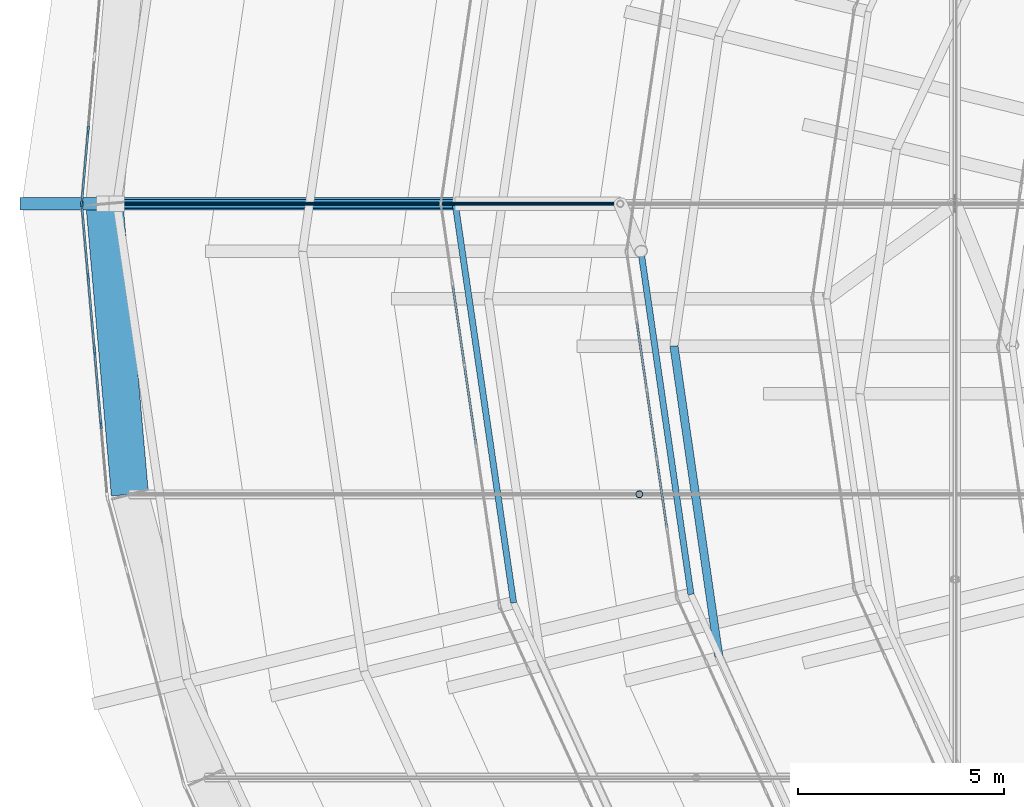
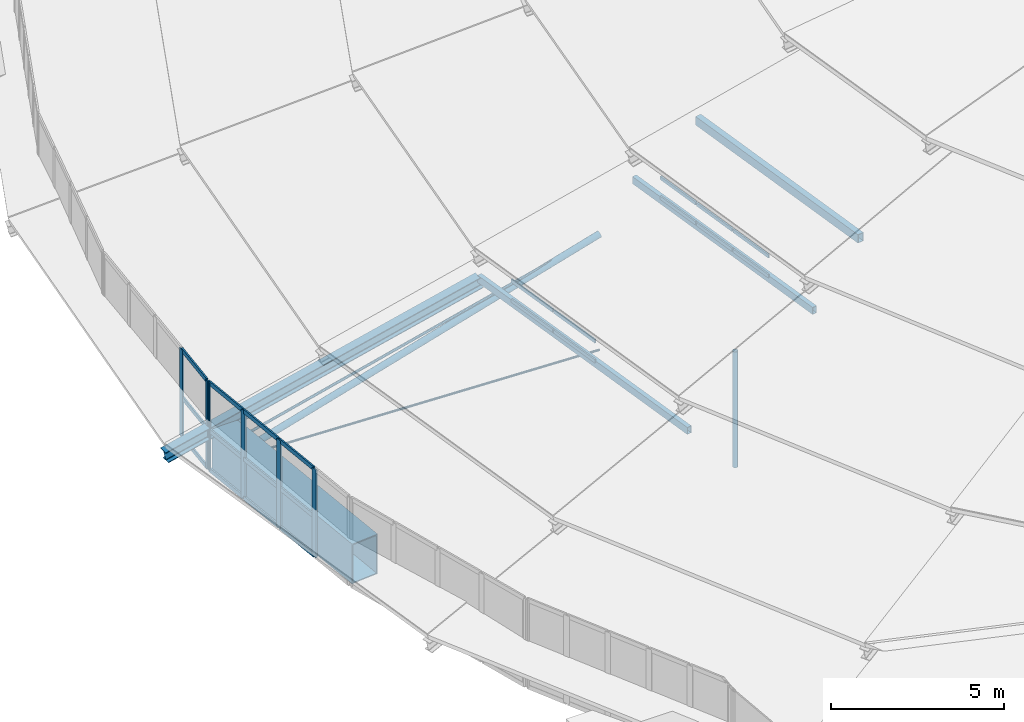
# One storey, part 32 of 173: 36 members, 1 beam, 4 elements without a shape of their own.
"""IFC4 building model written with IfcOpenShell, lengths in metres."""

from ifc_helpers import new_model, si_unit, direction, frame, origin, origin_2d, place, context, subcontext, project, spatial, rectangle, hollow_rectangle, circle, hollow_circle, i_section, extrude, material, material_profile, profile_set, type_object, element, aggregate, save


model = new_model("IFC4")

# Units and contexts
model_context = context("Model", 3, precision=1e-05, world=origin(), true_north=direction((0.0, 1.0)))
body_context = subcontext(model_context, "Body", "Model", "MODEL_VIEW")
ifc_project = project(units=[si_unit("LENGTHUNIT", "METRE"), si_unit("AREAUNIT", "SQUARE_METRE"), si_unit("VOLUMEUNIT", "CUBIC_METRE"), si_unit("PLANEANGLEUNIT", "RADIAN"), si_unit("MASSUNIT", "GRAM", prefix="KILO")], contexts=[model_context])

# Site, building, storey
site_placement = place(None, origin())
site = spatial("IfcSite", under=ifc_project, at=site_placement, CompositionType="ELEMENT")
building_placement = place(site_placement, origin())
building = spatial("IfcBuilding", under=site, at=building_placement, Name="Glasvene Arena", CompositionType="ELEMENT")
storey_placement = place(building_placement, frame((0.0, 0.0, 28.800048828125)))
storey = spatial("IfcBuildingStorey", under=building, at=storey_placement, Name="RF", CompositionType="ELEMENT", Elevation=28.800048828125)

# Beam
ifc_material_1 = material(Name="Steel S355J2", Category="steel")
ifc_material_profile_1 = material_profile(ifc_material_1, hollow_rectangle(XDim=0.89990234375, YDim=1.39990234375, WallThickness=0.034912109375, at=origin_2d()), Name="WBOX 900x1400x35")
ifc_profile_set_1 = profile_set([ifc_material_profile_1], Name="Steel S355J2")
beam_type = type_object("IfcBeamType", Name="BM-RING-BOX1400", PredefinedType="USERDEFINED", material=ifc_profile_set_1)
beam_placement = place(storey_placement, frame((42.0, 73.0, -0.699951171875), z_axis=(0.087099233317, -0.996199640411, 0.0), x_axis=(0.996199640411, 0.087099233317, 0.0)))
element("IfcBeam", 1, at=beam_placement, inside=storey, type_object=beam_type, Name="Compression ring beam chord RB-21", ObjectType="RING BEAM", PredefinedType="USERDEFINED", context=body_context, shape_type="SweptSolid", body=[
    extrude(hollow_rectangle(XDim=0.89990234375, YDim=1.39990234375, WallThickness=0.034912109375, at=origin_2d()), origin(), (0.0, 0.0, 1.0), 7.06640625),
])

# Curtain wall, members
ifc_material_2 = material(Name="Low-emissivity laminated double glazing", Category="glass")
curtain_wall_type_1 = type_object("IfcCurtainWallType", Name="CW-DRUM-715x310", PredefinedType="USERDEFINED", material=ifc_material_2)
curtain_wall_1_placement = place(storey_placement, frame((42.072509765625, 80.12548828125, 0.0)))
curtain_wall_1 = element("IfcCurtainWall", 2, at=curtain_wall_1_placement, inside=storey, type_object=curtain_wall_type_1, Name="Crown compression-ring fascia curtain wall 20", ObjectType="CURTAIN WALL", PredefinedType="USERDEFINED")
ifc_material_3 = material(Name="Anodised architectural aluminium", Category="aluminium")
ifc_material_profile_2 = material_profile(ifc_material_3, rectangle(XDim=0.050048828125, YDim=0.199951171875, at=origin_2d()), Name="ALU MULLION 50x200")
ifc_profile_set_2 = profile_set([ifc_material_profile_2], Name="Anodised architectural aluminium")
member_type_1 = type_object("IfcMemberType", Name="CW-MUL-180", PredefinedType="MULLION", material=ifc_profile_set_2)
member_1_placement = place(storey_placement, frame((41.605712890625, 74.781494140625, -1.380126953125), z_axis=(0.0, 0.0, 1.0), x_axis=(0.996206938771, -0.0870157178, 0.0)))
member_1 = element("IfcMember", 3, at=member_1_placement, type_object=member_type_1, Name="CW-071 mullion 4", PredefinedType="MULLION", context=body_context, shape_type="SweptSolid", body=[
    extrude(rectangle(XDim=0.050048828125, YDim=0.199951171875, at=origin_2d()), origin(), (0.0, 0.0, 1.0), 3.10009765625),
])
member_2_placement = place(storey_placement, frame((41.4521484375, 73.02490234375, -1.380126953125), z_axis=(0.0, 0.0, 1.0), x_axis=(0.996206938771, -0.0870157178, 0.0)))
member_2 = element("IfcMember", 4, at=member_2_placement, type_object=member_type_1, Name="CW-071 mullion 5", PredefinedType="MULLION", context=body_context, shape_type="SweptSolid", body=[
    extrude(rectangle(XDim=0.050048828125, YDim=0.199951171875, at=origin_2d()), origin(), (0.0, 0.0, 1.0), 3.10009765625),
])

curtain_wall_2_placement = place(storey_placement, frame((41.449951171875, 73.0, 0.0)))
curtain_wall_2 = element("IfcCurtainWall", 5, at=curtain_wall_2_placement, inside=storey, type_object=curtain_wall_type_1, Name="Crown compression-ring fascia curtain wall 21", ObjectType="CURTAIN WALL", PredefinedType="USERDEFINED")
member_3_placement = place(storey_placement, frame((41.4521484375, 72.97509765625, -1.380126953125), z_axis=(0.0, 0.0, 1.0), x_axis=(0.996206938771, 0.0870157178, 0.0)))
member_3 = element("IfcMember", 6, at=member_3_placement, type_object=member_type_1, Name="CW-071 mullion 1", PredefinedType="MULLION", context=body_context, shape_type="SweptSolid", body=[
    extrude(rectangle(XDim=0.050048828125, YDim=0.199951171875, at=origin_2d()), origin(), (0.0, 0.0, 1.0), 3.10009765625),
])
member_4_placement = place(storey_placement, frame((41.605712890625, 71.218505859375, -1.380126953125), z_axis=(0.0, 0.0, 1.0), x_axis=(0.996206938771, 0.0870157178, 0.0)))
member_4 = element("IfcMember", 7, at=member_4_placement, type_object=member_type_1, Name="CW-071 mullion 2", PredefinedType="MULLION", context=body_context, shape_type="SweptSolid", body=[
    extrude(rectangle(XDim=0.050048828125, YDim=0.199951171875, at=origin_2d()), origin(), (0.0, 0.0, 1.0), 3.10009765625),
])
member_5_placement = place(storey_placement, frame((41.76123046875, 69.437255859375, -1.380126953125), z_axis=(0.0, 0.0, 1.0), x_axis=(0.996206938771, 0.0870157178, 0.0)))
member_5 = element("IfcMember", 8, at=member_5_placement, type_object=member_type_1, Name="CW-071 mullion 3", PredefinedType="MULLION", context=body_context, shape_type="SweptSolid", body=[
    extrude(rectangle(XDim=0.050048828125, YDim=0.199951171875, at=origin_2d()), origin(), (0.0, 0.0, 1.0), 3.10009765625),
])
member_6_placement = place(storey_placement, frame((41.916748046875, 67.65576171875, -1.380126953125), z_axis=(0.0, 0.0, 1.0), x_axis=(0.996206938771, 0.0870157178, 0.0)))
member_6 = element("IfcMember", 9, at=member_6_placement, type_object=member_type_1, Name="CW-071 mullion 4", PredefinedType="MULLION", context=body_context, shape_type="SweptSolid", body=[
    extrude(rectangle(XDim=0.050048828125, YDim=0.199951171875, at=origin_2d()), origin(), (0.0, 0.0, 1.0), 3.10009765625),
])

curtain_wall_type_2 = type_object("IfcCurtainWallType", Name="CW-PET1-986x75", PredefinedType="USERDEFINED", material=ifc_material_2)
curtain_wall_3_placement = place(storey_placement, frame((50.14990234375, 73.0, 0.0)))
curtain_wall_3 = element("IfcCurtainWall", 10, at=curtain_wall_3_placement, inside=storey, type_object=curtain_wall_type_2, Name="Petal ring 1-2 clerestory curtain wall 13", ObjectType="CURTAIN WALL", PredefinedType="USERDEFINED")
ifc_material_profile_3 = material_profile(ifc_material_3, rectangle(XDim=0.050048828125, YDim=0.1201171875, at=origin_2d()), Name="ALU TRANSOM 50x120")
ifc_profile_set_3 = profile_set([ifc_material_profile_3], Name="Anodised architectural aluminium")
member_type_2 = type_object("IfcMemberType", Name="CW-TRN-120", PredefinedType="USERDEFINED", material=ifc_profile_set_3)
member_7_placement = place(storey_placement, frame((50.438720703125, 71.023681640625, 2.60498046875), z_axis=(0.144674822999, -0.989479254755, 0.0), x_axis=(0.989479254755, 0.144674822999, 0.0)))
member_7 = element("IfcMember", 11, at=member_7_placement, type_object=member_type_2, Name="CW-081 transom 2.1", ObjectType="TRANSOM", PredefinedType="USERDEFINED", context=body_context, shape_type="SweptSolid", body=[
    extrude(rectangle(XDim=0.050048828125, YDim=0.1201171875, at=origin_2d()), origin(), (0.0, 0.0, 1.0), 1.922119140625),
])
member_8_placement = place(storey_placement, frame((50.438720703125, 71.023681640625, 3.304931640625), z_axis=(0.144674822999, -0.989479254755, 0.0), x_axis=(0.989479254755, 0.144674822999, 0.0)))
member_8 = element("IfcMember", 12, at=member_8_placement, type_object=member_type_2, Name="CW-081 transom 2.2", ObjectType="TRANSOM", PredefinedType="USERDEFINED", context=body_context, shape_type="SweptSolid", body=[
    extrude(rectangle(XDim=0.050048828125, YDim=0.1201171875, at=origin_2d()), origin(), (0.0, 0.0, 1.0), 1.922119140625),
])
member_9_placement = place(storey_placement, frame((50.72412109375, 69.072265625, 2.60498046875), z_axis=(0.144532293107, -0.989500084007, 0.0), x_axis=(0.989500084007, 0.144532293107, 0.0)))
member_9 = element("IfcMember", 13, at=member_9_placement, type_object=member_type_2, Name="CW-081 transom 3.1", ObjectType="TRANSOM", PredefinedType="USERDEFINED", context=body_context, shape_type="SweptSolid", body=[
    extrude(rectangle(XDim=0.050048828125, YDim=0.1201171875, at=origin_2d()), origin(), (0.0, 0.0, 1.0), 1.92236328125),
])
member_10_placement = place(storey_placement, frame((50.72412109375, 69.072265625, 3.304931640625), z_axis=(0.144532293107, -0.989500084007, 0.0), x_axis=(0.989500084007, 0.144532293107, 0.0)))
member_10 = element("IfcMember", 14, at=member_10_placement, type_object=member_type_2, Name="CW-081 transom 3.2", ObjectType="TRANSOM", PredefinedType="USERDEFINED", context=body_context, shape_type="SweptSolid", body=[
    extrude(rectangle(XDim=0.050048828125, YDim=0.1201171875, at=origin_2d()), origin(), (0.0, 0.0, 1.0), 1.92236328125),
])
aggregate(curtain_wall_3, [member_7, member_8, member_9, member_10])

curtain_wall_type_3 = type_object("IfcCurtainWallType", Name="CW-PET2-849x75", PredefinedType="USERDEFINED", material=ifc_material_2)
curtain_wall_4_placement = place(storey_placement, frame((54.64990234375, 71.85009765625, 0.0)))
curtain_wall_4 = element("IfcCurtainWall", 15, at=curtain_wall_4_placement, inside=storey, type_object=curtain_wall_type_3, Name="Petal ring 2-3 clerestory curtain wall 13", ObjectType="CURTAIN WALL", PredefinedType="USERDEFINED")
member_11_placement = place(storey_placement, frame((54.898193359375, 70.1455078125, 5.204833984375), z_axis=(0.144201078273, -0.98954840661, 0.0), x_axis=(0.98954840661, 0.144201078273, 0.0)))
member_11 = element("IfcMember", 16, at=member_11_placement, type_object=member_type_2, Name="CW-087 transom 2.1", ObjectType="TRANSOM", PredefinedType="USERDEFINED", context=body_context, shape_type="SweptSolid", body=[
    extrude(rectangle(XDim=0.050048828125, YDim=0.1201171875, at=origin_2d()), origin(), (0.0, 0.0, 1.0), 1.6474609375),
])
member_12_placement = place(storey_placement, frame((54.898193359375, 70.1455078125, 5.905029296875), z_axis=(0.144201078273, -0.98954840661, 0.0), x_axis=(0.98954840661, 0.144201078273, 0.0)))
member_12 = element("IfcMember", 17, at=member_12_placement, type_object=member_type_2, Name="CW-087 transom 2.2", ObjectType="TRANSOM", PredefinedType="USERDEFINED", context=body_context, shape_type="SweptSolid", body=[
    extrude(rectangle(XDim=0.050048828125, YDim=0.1201171875, at=origin_2d()), origin(), (0.0, 0.0, 1.0), 1.6474609375),
])
member_13_placement = place(storey_placement, frame((55.142822265625, 68.4658203125, 5.204833984375), z_axis=(0.144179933735, -0.989551487649, 0.0), x_axis=(0.989551487649, 0.144179933735, 0.0)))
member_13 = element("IfcMember", 18, at=member_13_placement, type_object=member_type_2, Name="CW-087 transom 3.1", ObjectType="TRANSOM", PredefinedType="USERDEFINED", context=body_context, shape_type="SweptSolid", body=[
    extrude(rectangle(XDim=0.050048828125, YDim=0.1201171875, at=origin_2d()), origin(), (0.0, 0.0, 1.0), 1.647705078125),
])
member_14_placement = place(storey_placement, frame((55.142822265625, 68.4658203125, 5.905029296875), z_axis=(0.144179933735, -0.989551487649, 0.0), x_axis=(0.989551487649, 0.144179933735, 0.0)))
member_14 = element("IfcMember", 19, at=member_14_placement, type_object=member_type_2, Name="CW-087 transom 3.2", ObjectType="TRANSOM", PredefinedType="USERDEFINED", context=body_context, shape_type="SweptSolid", body=[
    extrude(rectangle(XDim=0.050048828125, YDim=0.1201171875, at=origin_2d()), origin(), (0.0, 0.0, 1.0), 1.647705078125),
])
member_15_placement = place(storey_placement, frame((55.3876953125, 66.7861328125, 5.204833984375), z_axis=(0.144034828632, -0.989572618933, 0.0), x_axis=(0.989572618933, 0.144034828632, 0.0)))
member_15 = element("IfcMember", 20, at=member_15_placement, type_object=member_type_2, Name="CW-087 transom 4.1", ObjectType="TRANSOM", PredefinedType="USERDEFINED", context=body_context, shape_type="SweptSolid", body=[
    extrude(rectangle(XDim=0.050048828125, YDim=0.1201171875, at=origin_2d()), origin(), (0.0, 0.0, 1.0), 1.6474609375),
])
member_16_placement = place(storey_placement, frame((55.3876953125, 66.7861328125, 5.905029296875), z_axis=(0.144034828632, -0.989572618933, 0.0), x_axis=(0.989572618933, 0.144034828632, 0.0)))
member_16 = element("IfcMember", 21, at=member_16_placement, type_object=member_type_2, Name="CW-087 transom 4.2", ObjectType="TRANSOM", PredefinedType="USERDEFINED", context=body_context, shape_type="SweptSolid", body=[
    extrude(rectangle(XDim=0.050048828125, YDim=0.1201171875, at=origin_2d()), origin(), (0.0, 0.0, 1.0), 1.6474609375),
])
aggregate(curtain_wall_4, [member_11, member_12, member_13, member_14, member_15, member_16])

# Member
ifc_material_profile_4 = material_profile(ifc_material_3, rectangle(XDim=0.050048828125, YDim=0.14990234375, at=origin_2d()), Name="ALU TRANSOM 50x150")
ifc_profile_set_4 = profile_set([ifc_material_profile_4], Name="Anodised architectural aluminium")
member_type_3 = type_object("IfcMemberType", Name="CW-TRN-150", PredefinedType="USERDEFINED", material=ifc_profile_set_4)
member_17_placement = place(storey_placement, frame((41.603515625, 74.756591796875, -1.35498046875), z_axis=(-0.087066191542, -0.996202528751, 0.0), x_axis=(0.996202528751, -0.087066191542, 0.0)))
member_17 = element("IfcMember", 22, at=member_17_placement, type_object=member_type_3, Name="CW-071 transom 4.1", ObjectType="TRANSOM", PredefinedType="USERDEFINED", context=body_context, shape_type="SweptSolid", body=[
    extrude(rectangle(XDim=0.050048828125, YDim=0.14990234375, at=origin_2d()), origin(), (0.0, 0.0, 1.0), 1.71337890625),
])

member_18_placement = place(storey_placement, frame((41.603515625, 74.756591796875, 0.02001953125), z_axis=(-0.087066191542, -0.996202528751, 0.0), x_axis=(0.996202528751, -0.087066191542, 0.0)))
member_18 = element("IfcMember", 23, at=member_18_placement, type_object=member_type_3, Name="CW-071 transom 4.2", ObjectType="TRANSOM", PredefinedType="USERDEFINED", context=body_context, shape_type="SweptSolid", body=[
    extrude(rectangle(XDim=0.050048828125, YDim=0.14990234375, at=origin_2d()), origin(), (0.0, 0.0, 1.0), 1.71337890625),
])

member_19_placement = place(storey_placement, frame((41.603515625, 74.756591796875, 1.695068359375), z_axis=(-0.087066191542, -0.996202528751, 0.0), x_axis=(0.996202528751, -0.087066191542, 0.0)))
member_19 = element("IfcMember", 24, at=member_19_placement, type_object=member_type_3, Name="CW-071 transom 4.3", ObjectType="TRANSOM", PredefinedType="USERDEFINED", context=body_context, shape_type="SweptSolid", body=[
    extrude(rectangle(XDim=0.050048828125, YDim=0.14990234375, at=origin_2d()), origin(), (0.0, 0.0, 1.0), 1.71337890625),
])

aggregate(curtain_wall_1, [member_1, member_2, member_17, member_18, member_19])

member_20_placement = place(storey_placement, frame((41.454345703125, 72.9501953125, -1.35498046875), z_axis=(0.087066191542, -0.996202528751, 0.0), x_axis=(0.996202528751, 0.087066191542, 0.0)))
member_20 = element("IfcMember", 25, at=member_20_placement, type_object=member_type_3, Name="CW-071 transom 1.1", ObjectType="TRANSOM", PredefinedType="USERDEFINED", context=body_context, shape_type="SweptSolid", body=[
    extrude(rectangle(XDim=0.050048828125, YDim=0.14990234375, at=origin_2d()), origin(), (0.0, 0.0, 1.0), 1.71337890625),
])

member_21_placement = place(storey_placement, frame((41.454345703125, 72.9501953125, 0.02001953125), z_axis=(0.087066191542, -0.996202528751, 0.0), x_axis=(0.996202528751, 0.087066191542, 0.0)))
member_21 = element("IfcMember", 26, at=member_21_placement, type_object=member_type_3, Name="CW-071 transom 1.2", ObjectType="TRANSOM", PredefinedType="USERDEFINED", context=body_context, shape_type="SweptSolid", body=[
    extrude(rectangle(XDim=0.050048828125, YDim=0.14990234375, at=origin_2d()), origin(), (0.0, 0.0, 1.0), 1.71337890625),
])

member_22_placement = place(storey_placement, frame((41.454345703125, 72.9501953125, 1.695068359375), z_axis=(0.087066191542, -0.996202528751, 0.0), x_axis=(0.996202528751, 0.087066191542, 0.0)))
member_22 = element("IfcMember", 27, at=member_22_placement, type_object=member_type_3, Name="CW-071 transom 1.3", ObjectType="TRANSOM", PredefinedType="USERDEFINED", context=body_context, shape_type="SweptSolid", body=[
    extrude(rectangle(XDim=0.050048828125, YDim=0.14990234375, at=origin_2d()), origin(), (0.0, 0.0, 1.0), 1.71337890625),
])

member_23_placement = place(storey_placement, frame((41.607666015625, 71.193603515625, -1.35498046875), z_axis=(0.087090279525, -0.996200423214, 0.0), x_axis=(0.996200423214, 0.087090279525, 0.0)))
member_23 = element("IfcMember", 28, at=member_23_placement, type_object=member_type_3, Name="CW-071 transom 2.1", ObjectType="TRANSOM", PredefinedType="USERDEFINED", context=body_context, shape_type="SweptSolid", body=[
    extrude(rectangle(XDim=0.050048828125, YDim=0.14990234375, at=origin_2d()), origin(), (0.0, 0.0, 1.0), 1.738037109375),
])

member_24_placement = place(storey_placement, frame((41.607666015625, 71.193603515625, 0.02001953125), z_axis=(0.087090279525, -0.996200423214, 0.0), x_axis=(0.996200423214, 0.087090279525, 0.0)))
member_24 = element("IfcMember", 29, at=member_24_placement, type_object=member_type_3, Name="CW-071 transom 2.2", ObjectType="TRANSOM", PredefinedType="USERDEFINED", context=body_context, shape_type="SweptSolid", body=[
    extrude(rectangle(XDim=0.050048828125, YDim=0.14990234375, at=origin_2d()), origin(), (0.0, 0.0, 1.0), 1.738037109375),
])

member_25_placement = place(storey_placement, frame((41.607666015625, 71.193603515625, 1.695068359375), z_axis=(0.087090279525, -0.996200423214, 0.0), x_axis=(0.996200423214, 0.087090279525, 0.0)))
member_25 = element("IfcMember", 30, at=member_25_placement, type_object=member_type_3, Name="CW-071 transom 2.3", ObjectType="TRANSOM", PredefinedType="USERDEFINED", context=body_context, shape_type="SweptSolid", body=[
    extrude(rectangle(XDim=0.050048828125, YDim=0.14990234375, at=origin_2d()), origin(), (0.0, 0.0, 1.0), 1.738037109375),
])

member_26_placement = place(storey_placement, frame((41.763427734375, 69.412353515625, -1.35498046875), z_axis=(0.086938708161, -0.996213662335, 0.0), x_axis=(0.996213662335, 0.086938708161, 0.0)))
member_26 = element("IfcMember", 31, at=member_26_placement, type_object=member_type_3, Name="CW-071 transom 3.1", ObjectType="TRANSOM", PredefinedType="USERDEFINED", context=body_context, shape_type="SweptSolid", body=[
    extrude(rectangle(XDim=0.050048828125, YDim=0.14990234375, at=origin_2d()), origin(), (0.0, 0.0, 1.0), 1.73828125),
])

member_27_placement = place(storey_placement, frame((41.763427734375, 69.412353515625, 0.02001953125), z_axis=(0.086938708161, -0.996213662335, 0.0), x_axis=(0.996213662335, 0.086938708161, 0.0)))
member_27 = element("IfcMember", 32, at=member_27_placement, type_object=member_type_3, Name="CW-071 transom 3.2", ObjectType="TRANSOM", PredefinedType="USERDEFINED", context=body_context, shape_type="SweptSolid", body=[
    extrude(rectangle(XDim=0.050048828125, YDim=0.14990234375, at=origin_2d()), origin(), (0.0, 0.0, 1.0), 1.73828125),
])

member_28_placement = place(storey_placement, frame((41.763427734375, 69.412353515625, 1.695068359375), z_axis=(0.086938708161, -0.996213662335, 0.0), x_axis=(0.996213662335, 0.086938708161, 0.0)))
member_28 = element("IfcMember", 33, at=member_28_placement, type_object=member_type_3, Name="CW-071 transom 3.3", ObjectType="TRANSOM", PredefinedType="USERDEFINED", context=body_context, shape_type="SweptSolid", body=[
    extrude(rectangle(XDim=0.050048828125, YDim=0.14990234375, at=origin_2d()), origin(), (0.0, 0.0, 1.0), 1.73828125),
])

aggregate(curtain_wall_2, [member_3, member_4, member_5, member_6, member_20, member_21, member_22, member_23, member_24, member_25, member_26, member_27, member_28])

# Members
ifc_material_4 = material(Name="High-strength steel spiral strand S460", Category="steel")
ifc_material_profile_5 = material_profile(ifc_material_4, circle(Radius=0.03759765625, at=origin_2d()), Name="LCSS D75")
ifc_profile_set_5 = profile_set([ifc_material_profile_5], Name="High-strength steel spiral strand S460")
member_type_4 = type_object("IfcMemberType", Name="MB-CABLE-75", PredefinedType="USERDEFINED", material=ifc_profile_set_5)
member_29_placement = place(storey_placement, frame((42.0, 73.0, -1.320068359375), z_axis=(0.999400282812, 0.0, -0.034627658236), x_axis=(0.0, 1.0, 0.0)))
element("IfcMember", 34, at=member_29_placement, inside=storey, type_object=member_type_4, Name="Lower stabilization roof cable EW04-01", ObjectType="ROOF CABLE", PredefinedType="USERDEFINED", context=body_context, shape_type="SweptSolid", body=[
    extrude(circle(Radius=0.03759765625, at=origin_2d()), origin(), (0.0, 0.0, 1.0), 12.507568359375),
])
ifc_material_profile_6 = material_profile(ifc_material_4, circle(Radius=0.044921875, at=origin_2d()), Name="LCSS D90")
ifc_profile_set_6 = profile_set([ifc_material_profile_6], Name="High-strength steel spiral strand S460")
member_type_5 = type_object("IfcMemberType", Name="MB-CABLE-90", PredefinedType="USERDEFINED", material=ifc_profile_set_6)
member_30_placement = place(storey_placement, frame((42.0, 73.0, -0.780029296875), z_axis=(0.970436127557, 0.0, 0.241358079069), x_axis=(0.0, 1.0, 0.0)))
element("IfcMember", 35, at=member_30_placement, inside=storey, type_object=member_type_5, Name="Upper lens roof cable EW04-01", ObjectType="ROOF CABLE", PredefinedType="USERDEFINED", context=body_context, shape_type="SweptSolid", body=[
    extrude(circle(Radius=0.044921875, at=origin_2d()), origin(), (0.0, 0.0, 1.0), 12.880859375),
])
ifc_material_profile_7 = material_profile(ifc_material_1, i_section(OverallWidth=0.300048828125, OverallDepth=0.39990234375, WebThickness=0.013427734375, FlangeThickness=0.02392578125, FilletRadius=0.027099609375, at=origin_2d()), Name="HEB 400")
ifc_profile_set_7 = profile_set([ifc_material_profile_7], Name="Steel S355J2")
member_type_6 = type_object("IfcMemberType", Name="MB-CHORD-HEB400", PredefinedType="CHORD", material=ifc_profile_set_7)
member_31_placement = place(storey_placement, frame((40.0, 73.0, -0.400146484375), z_axis=(0.972806214685, 0.0, 0.231620527306), x_axis=(0.0, 1.0, 0.0)))
element("IfcMember", 36, at=member_31_placement, inside=storey, type_object=member_type_6, Name="Petal ring 1 radial rib 13", PredefinedType="CHORD", context=body_context, shape_type="SweptSolid", body=[
    extrude(i_section(OverallWidth=0.300048828125, OverallDepth=0.39990234375, WebThickness=0.013427734375, FlangeThickness=0.02392578125, FilletRadius=0.027099609375, at=origin_2d()), origin(), (0.0, 0.0, 1.0), 10.79345703125),
])
ifc_material_profile_8 = material_profile(ifc_material_1, hollow_rectangle(XDim=0.14990234375, YDim=0.25, WallThickness=0.010009765625, at=origin_2d()), Name="RHS 250x150x10.0")
ifc_profile_set_8 = profile_set([ifc_material_profile_8], Name="Steel S355J2")
member_type_7 = type_object("IfcMemberType", Name="MB-PURLIN-RHS250", PredefinedType="PURLIN", material=ifc_profile_set_8)
member_32_placement = place(storey_placement, frame((50.5, 73.0, 2.181884765625), z_axis=(0.14473712176, -0.989470143857, 0.0), x_axis=(0.989470143857, 0.14473712176, 0.0)))
element("IfcMember", 37, at=member_32_placement, inside=storey, type_object=member_type_7, Name="Petal ring 1 ridge purlin 13", PredefinedType="PURLIN", context=body_context, shape_type="SweptSolid", body=[
    extrude(hollow_rectangle(XDim=0.14990234375, YDim=0.25, WallThickness=0.010009765625, at=origin_2d()), origin(), (0.0, 0.0, 1.0), 9.769775390625),
])
member_33_placement = place(storey_placement, frame((55.0, 71.85009765625, 4.781982421875), z_axis=(0.144191867008, -0.98954974887, 0.0), x_axis=(0.98954974887, 0.144191867008, 0.0)))
element("IfcMember", 38, at=member_33_placement, inside=storey, type_object=member_type_7, Name="Petal ring 2 ridge purlin 13", PredefinedType="PURLIN", context=body_context, shape_type="SweptSolid", body=[
    extrude(hollow_rectangle(XDim=0.14990234375, YDim=0.25, WallThickness=0.010009765625, at=origin_2d()), origin(), (0.0, 0.0, 1.0), 8.39990234375),
])
ifc_material_profile_9 = material_profile(ifc_material_1, hollow_rectangle(XDim=0.199951171875, YDim=0.300048828125, WallThickness=0.012451171875, at=origin_2d()), Name="RHS 300x200x12.5")
ifc_profile_set_9 = profile_set([ifc_material_profile_9], Name="Steel S355J2")
member_type_8 = type_object("IfcMemberType", Name="MB-PURLIN-RHS300", PredefinedType="PURLIN", material=ifc_profile_set_9)
member_34_placement = place(storey_placement, frame((55.800048828125, 69.550048828125, 8.00048828125), z_axis=(0.143093204238, -0.989709217347, 0.0), x_axis=(0.989709217347, 0.143093204238, 0.0)))
element("IfcMember", 39, at=member_34_placement, inside=storey, type_object=member_type_8, Name="Petal ring 4 outer purlin 13", PredefinedType="PURLIN", context=body_context, shape_type="SweptSolid", body=[
    extrude(hollow_rectangle(XDim=0.199951171875, YDim=0.300048828125, WallThickness=0.012451171875, at=origin_2d()), origin(), (0.0, 0.0, 1.0), 7.583984375),
])
ifc_material_profile_10 = material_profile(ifc_material_1, hollow_circle(Radius=0.084228515625, WallThickness=0.008056640625, at=origin_2d()), Name="CHS 168.3x8.0")
ifc_profile_set_10 = profile_set([ifc_material_profile_10], Name="Steel S355J2")
member_type_9 = type_object("IfcMemberType", Name="MB-WEB-CHS168", PredefinedType="BRACE", material=ifc_profile_set_10)
member_35_placement = place(storey_placement, frame((54.961669921875, 65.96044921875, -1.753173828125), z_axis=(0.0, 0.0, 1.0), x_axis=(1.0, 0.0, 0.0)))
element("IfcMember", 40, at=member_35_placement, inside=storey, type_object=member_type_9, Name="Cable-truss vertical strut EW03-01", PredefinedType="BRACE", context=body_context, shape_type="SweptSolid", body=[
    extrude(hollow_circle(Radius=0.084228515625, WallThickness=0.008056640625, at=origin_2d()), origin(), (0.0, 0.0, 1.0), 4.08203125),
])
ifc_material_profile_11 = material_profile(ifc_material_1, hollow_circle(Radius=0.109619140625, WallThickness=0.010009765625, at=origin_2d()), Name="CHS 219.1x10.0")
ifc_profile_set_11 = profile_set([ifc_material_profile_11], Name="Steel S355J2")
member_type_10 = type_object("IfcMemberType", Name="MB-WEB-CHS219", PredefinedType="BRACE", material=ifc_profile_set_11)
member_36_placement = place(storey_placement, frame((42.0, 73.0, -1.320068359375), z_axis=(0.959936139298, 0.0, 0.280218858163), x_axis=(0.0, 1.0, 0.0)))
element("IfcMember", 41, at=member_36_placement, inside=storey, type_object=member_type_10, Name="Cable-truss diagonal web strut EW04-01", PredefinedType="BRACE", context=body_context, shape_type="SweptSolid", body=[
    extrude(hollow_circle(Radius=0.109619140625, WallThickness=0.010009765625, at=origin_2d()), origin(), (0.0, 0.0, 1.0), 13.021728515625),
])

save(model, "model.ifc")
